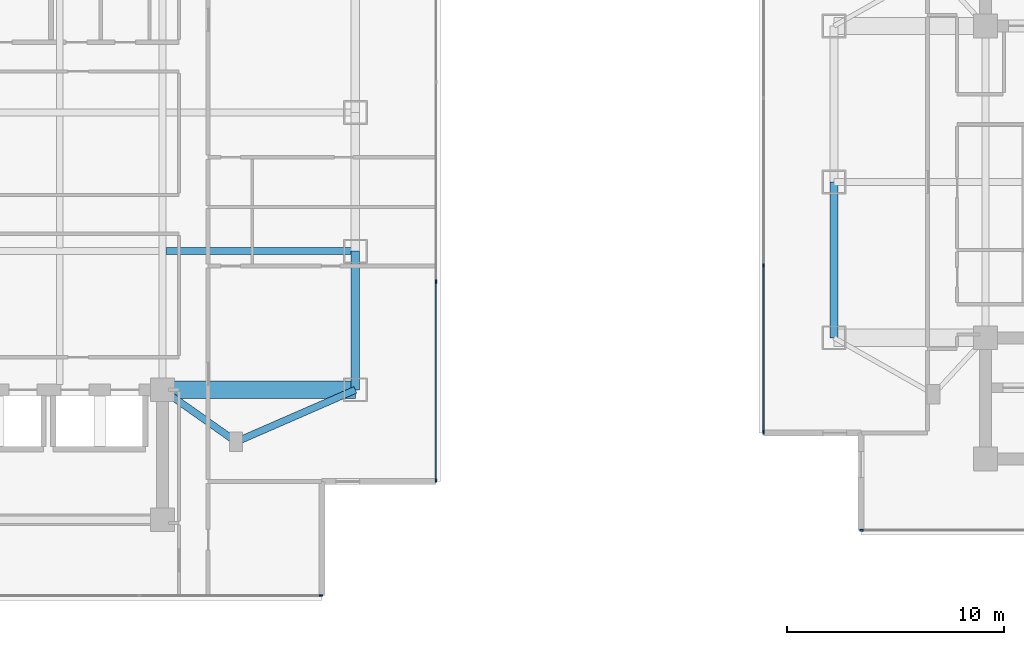
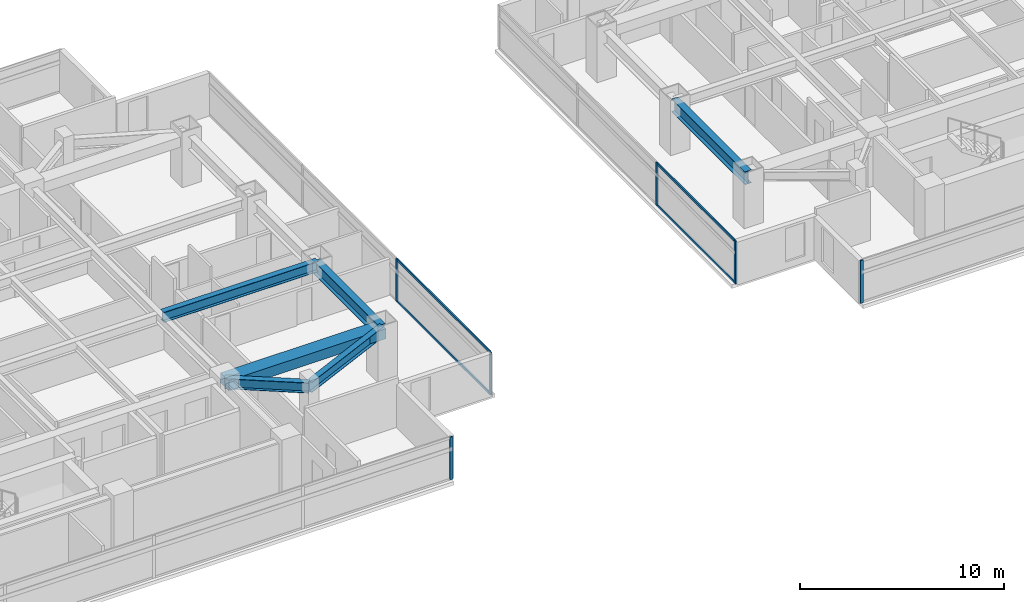
# One storey, part 5 of 24: 10 members, 6 beams, 4 elements without a shape of their own.
"""IFC4 building model written with IfcOpenShell, lengths in metres."""

from ifc_helpers import new_model, si_unit, direction, frame, origin, origin_2d, place, context, subcontext, project, spatial, rectangle, i_section, extrude, material, material_profile, profile_set, type_object, element, aggregate, save


model = new_model("IFC4")

# Units and contexts
model_context = context("Model", 3, precision=1e-05, world=origin(), true_north=direction((0.0, 1.0)))
body_context = subcontext(model_context, "Body", "Model", "MODEL_VIEW")
ifc_project = project(units=[si_unit("LENGTHUNIT", "METRE"), si_unit("AREAUNIT", "SQUARE_METRE"), si_unit("VOLUMEUNIT", "CUBIC_METRE"), si_unit("PLANEANGLEUNIT", "RADIAN"), si_unit("MASSUNIT", "GRAM", prefix="KILO")], contexts=[model_context])

# Site, building, storey
site_placement = place(None, origin())
site = spatial("IfcSite", under=ifc_project, at=site_placement, CompositionType="ELEMENT")
building_placement = place(site_placement, origin())
building = spatial("IfcBuilding", under=site, at=building_placement, Name="Mirazonda Arch Towers", CompositionType="ELEMENT")
storey_placement = place(building_placement, frame((0.0, 0.0, 144.5)))
storey = spatial("IfcBuildingStorey", under=building, at=storey_placement, Name="L41", CompositionType="ELEMENT", Elevation=144.5)

# Beams
ifc_material_1 = material(Name="Steel ASTM A992 Grade 50", Category="steel")
ifc_material_profile_1 = material_profile(ifc_material_1, i_section(OverallWidth=0.381103515625, OverallDepth=0.77294921875, WebThickness=0.0166015625, FlangeThickness=0.027099609375, at=origin_2d()), Name="W30X173")
ifc_profile_set_1 = profile_set([ifc_material_profile_1], Name="Steel ASTM A992 Grade 50")
beam_type_1 = type_object("IfcBeamType", Name="BM-EXT-W30X173", PredefinedType="USERDEFINED", material=ifc_profile_set_1)
beam_1_placement = place(storey_placement, frame((38.89990234375, 18.39990234375, 2.553466796875), z_axis=(0.0, 1.0, 0.0), x_axis=(-1.0, 0.0, 0.0)))
element("IfcBeam", 1, at=beam_1_placement, inside=storey, type_object=beam_type_1, Name="L41 Floor Beam BMT-T1-L41-NS-E-18", ObjectType="GIRDER", PredefinedType="USERDEFINED", context=body_context, shape_type="SweptSolid", body=[
    extrude(i_section(OverallWidth=0.381103515625, OverallDepth=0.77294921875, WebThickness=0.0166015625, FlangeThickness=0.027099609375, at=origin_2d()), origin(), (0.0, 0.0, 1.0), 6.400146484375),
])
beam_2_placement = place(storey_placement, frame((61.0, 20.800048828125, 2.553466796875), z_axis=(0.0, 1.0, 0.0), x_axis=(-1.0, 0.0, 0.0)))
element("IfcBeam", 2, at=beam_2_placement, inside=storey, type_object=beam_type_1, Name="L41 Floor Beam BMT-T2-L41-NS-W-20", ObjectType="GIRDER", PredefinedType="USERDEFINED", context=body_context, shape_type="SweptSolid", body=[
    extrude(i_section(OverallWidth=0.381103515625, OverallDepth=0.77294921875, WebThickness=0.0166015625, FlangeThickness=0.027099609375, at=origin_2d()), origin(), (0.0, 0.0, 1.0), 7.199951171875),
])
ifc_material_profile_2 = material_profile(ifc_material_1, i_section(OverallWidth=0.324951171875, OverallDepth=0.615966796875, WebThickness=0.013916015625, FlangeThickness=0.021484375, at=origin_2d()), Name="W24X117")
ifc_profile_set_2 = profile_set([ifc_material_profile_2], Name="Steel ASTM A992 Grade 50")
beam_type_2 = type_object("IfcBeamType", Name="BM-INT-W24X117", PredefinedType="BEAM", material=ifc_profile_set_2)
beam_3_placement = place(storey_placement, frame((30.16259765625, 24.800048828125, 2.632080078125), z_axis=(1.0, 0.0, 0.0), x_axis=(0.0, 1.0, 0.0)))
element("IfcBeam", 3, at=beam_3_placement, inside=storey, type_object=beam_type_2, Name="L41 Floor Beam BMT-T1-L41-GE2", PredefinedType="BEAM", context=body_context, shape_type="SweptSolid", body=[
    extrude(i_section(OverallWidth=0.324951171875, OverallDepth=0.615966796875, WebThickness=0.013916015625, FlangeThickness=0.021484375, at=origin_2d()), origin(), (0.0, 0.0, 1.0), 8.7373046875),
])
beam_4_placement = place(storey_placement, frame((33.39990234375, 16.0, 2.632080078125), z_axis=(-0.816971114901, 0.576678591087, 0.0), x_axis=(-0.576678591087, -0.816971114901, 0.0)))
element("IfcBeam", 4, at=beam_4_placement, inside=storey, type_object=beam_type_2, Name="L41 Floor Beam BMT-T1-L41-PL-SE1", PredefinedType="BEAM", context=body_context, shape_type="SweptSolid", body=[
    extrude(i_section(OverallWidth=0.324951171875, OverallDepth=0.615966796875, WebThickness=0.013916015625, FlangeThickness=0.021484375, at=origin_2d()), origin(), (0.0, 0.0, 1.0), 4.16162109375),
])
beam_5_placement = place(storey_placement, frame((33.39990234375, 16.0, 2.632080078125), z_axis=(0.916545343703, 0.399930785183, 0.0), x_axis=(-0.399930785183, 0.916545343703, 0.0)))
element("IfcBeam", 5, at=beam_5_placement, inside=storey, type_object=beam_type_2, Name="L41 Floor Beam BMT-T1-L41-PL-SE2", PredefinedType="BEAM", context=body_context, shape_type="SweptSolid", body=[
    extrude(i_section(OverallWidth=0.324951171875, OverallDepth=0.615966796875, WebThickness=0.013916015625, FlangeThickness=0.021484375, at=origin_2d()), origin(), (0.0, 0.0, 1.0), 6.000732421875),
])
ifc_material_2 = material(Name="Concrete C60/75", Category="concrete")
ifc_material_profile_3 = material_profile(ifc_material_2, rectangle(XDim=0.800048828125, YDim=0.60009765625, at=origin_2d()), Name="RCCB800x600")
ifc_profile_set_3 = profile_set([ifc_material_profile_3], Name="Concrete C60/75")
beam_type_3 = type_object("IfcBeamType", Name="CB-INT-RCCB800x600", PredefinedType="SPANDREL", material=ifc_profile_set_3)
beam_6_placement = place(storey_placement, frame((30.0, 18.39990234375, 2.639892578125), z_axis=(1.0, 0.0, 0.0), x_axis=(0.0, 1.0, 0.0)))
element("IfcBeam", 6, at=beam_6_placement, inside=storey, type_object=beam_type_3, Name="L41 Floor Beam CBC-T1-L41-SE", PredefinedType="SPANDREL", context=body_context, shape_type="SweptSolid", body=[
    extrude(rectangle(XDim=0.800048828125, YDim=0.60009765625, at=origin_2d()), origin(), (0.0, 0.0, 1.0), 8.89990234375),
])

# Curtain wall, member
ifc_material_3 = material(Name="Anodised Aluminium and Low-E Glass", Category="aluminium")
curtain_wall_type = type_object("IfcCurtainWallType", Name="CW-HTL-UNIT", PredefinedType="NOTDEFINED", material=ifc_material_3)
curtain_wall_1_placement = place(storey_placement, origin())
curtain_wall_1 = element("IfcCurtainWall", 7, at=curtain_wall_1_placement, inside=storey, type_object=curtain_wall_type, Name="L41 T1 S Facade CW-L41-T1-S", PredefinedType="NOTDEFINED")
ifc_material_4 = material(Name="Anodised Aluminium Alloy", Category="aluminium")
ifc_material_profile_4 = material_profile(ifc_material_4, rectangle(XDim=0.074951171875, YDim=0.1650390625, at=origin_2d()), Name="ALU-MULL-75x165")
ifc_profile_set_4 = profile_set([ifc_material_profile_4], Name="Anodised Aluminium Alloy")
member_type_1 = type_object("IfcMemberType", Name="MULL-CW-HTL-UNIT", PredefinedType="MULLION", material=ifc_profile_set_4)
member_1_placement = place(storey_placement, frame((37.3125, 8.89599609375, 0.0), z_axis=(0.0, 0.0, 1.0), x_axis=(0.0, -1.0, 0.0)))
member_1 = element("IfcMember", 8, at=member_1_placement, type_object=member_type_1, Name="CW-112 mullion 1", PredefinedType="MULLION", context=body_context, shape_type="SweptSolid", body=[
    extrude(rectangle(XDim=0.074951171875, YDim=0.1650390625, at=origin_2d()), origin(), (0.0, 0.0, 1.0), 2.56005859375),
])
aggregate(curtain_wall_1, [member_1])

# Curtain wall, members
curtain_wall_2_placement = place(storey_placement, origin())
curtain_wall_2 = element("IfcCurtainWall", 9, at=curtain_wall_2_placement, inside=storey, type_object=curtain_wall_type, Name="L41 T1 E Facade CW-L41-T1-E", PredefinedType="NOTDEFINED")
member_2_placement = place(storey_placement, frame((42.6201171875, 14.20361328125, 0.0), z_axis=(0.0, 0.0, 1.0), x_axis=(-1.0, 0.0, 0.0)))
member_2 = element("IfcMember", 10, at=member_2_placement, type_object=member_type_1, Name="CW-112 mullion 1", PredefinedType="MULLION", context=body_context, shape_type="SweptSolid", body=[
    extrude(rectangle(XDim=0.074951171875, YDim=0.1650390625, at=origin_2d()), origin(), (0.0, 0.0, 1.0), 2.56005859375),
])
member_3_placement = place(storey_placement, frame((42.6201171875, 23.388671875, 0.0), z_axis=(0.0, 0.0, 1.0), x_axis=(-1.0, 0.0, 0.0)))
member_3 = element("IfcMember", 11, at=member_3_placement, type_object=member_type_1, Name="CW-112 mullion 2", PredefinedType="MULLION", context=body_context, shape_type="SweptSolid", body=[
    extrude(rectangle(XDim=0.074951171875, YDim=0.1650390625, at=origin_2d()), origin(), (0.0, 0.0, 1.0), 2.56005859375),
])

# Curtain wall, member
curtain_wall_3_placement = place(storey_placement, origin())
curtain_wall_3 = element("IfcCurtainWall", 12, at=curtain_wall_3_placement, inside=storey, type_object=curtain_wall_type, Name="L41 T2 S Facade CW-L41-T2-S", PredefinedType="NOTDEFINED")
member_4_placement = place(storey_placement, frame((62.27490234375, 11.91455078125, 0.0), z_axis=(0.0, 0.0, 1.0), x_axis=(0.0, -1.0, 0.0)))
member_4 = element("IfcMember", 13, at=member_4_placement, type_object=member_type_1, Name="CW-112 mullion 4", PredefinedType="MULLION", context=body_context, shape_type="SweptSolid", body=[
    extrude(rectangle(XDim=0.074951171875, YDim=0.1650390625, at=origin_2d()), origin(), (0.0, 0.0, 1.0), 2.56005859375),
])
aggregate(curtain_wall_3, [member_4])

# Curtain wall, members
curtain_wall_4_placement = place(storey_placement, origin())
curtain_wall_4 = element("IfcCurtainWall", 14, at=curtain_wall_4_placement, inside=storey, type_object=curtain_wall_type, Name="L41 T2 W Facade CW-L41-T2-W", PredefinedType="NOTDEFINED")
member_5_placement = place(storey_placement, frame((57.7509765625, 24.1337890625, 0.0), z_axis=(0.0, 0.0, 1.0), x_axis=(1.0, 0.0, 0.0)))
member_5 = element("IfcMember", 15, at=member_5_placement, type_object=member_type_1, Name="CW-112 mullion 3", PredefinedType="MULLION", context=body_context, shape_type="SweptSolid", body=[
    extrude(rectangle(XDim=0.074951171875, YDim=0.1650390625, at=origin_2d()), origin(), (0.0, 0.0, 1.0), 2.56005859375),
])
member_6_placement = place(storey_placement, frame((57.7509765625, 16.438720703125, 0.0), z_axis=(0.0, 0.0, 1.0), x_axis=(1.0, 0.0, 0.0)))
member_6 = element("IfcMember", 16, at=member_6_placement, type_object=member_type_1, Name="CW-112 mullion 4", PredefinedType="MULLION", context=body_context, shape_type="SweptSolid", body=[
    extrude(rectangle(XDim=0.074951171875, YDim=0.1650390625, at=origin_2d()), origin(), (0.0, 0.0, 1.0), 2.56005859375),
])

# Member
ifc_material_profile_5 = material_profile(ifc_material_4, rectangle(XDim=0.074951171875, YDim=0.14501953125, at=origin_2d()), Name="ALU-TRAN-75x145")
ifc_profile_set_5 = profile_set([ifc_material_profile_5], Name="Anodised Aluminium Alloy")
member_type_2 = type_object("IfcMemberType", Name="TRAN-CW-HTL-UNIT", PredefinedType="USERDEFINED", material=ifc_profile_set_5)
member_7_placement = place(storey_placement, frame((42.6201171875, 14.240966796875, 0.03759765625), z_axis=(0.0, 1.0, 0.0), x_axis=(-1.0, 0.0, 0.0)))
member_7 = element("IfcMember", 17, at=member_7_placement, type_object=member_type_2, Name="CW-112 transom 1.1", ObjectType="TRANSOM", PredefinedType="USERDEFINED", context=body_context, shape_type="SweptSolid", body=[
    extrude(rectangle(XDim=0.074951171875, YDim=0.14501953125, at=origin_2d()), origin(), (0.0, 0.0, 1.0), 9.110107421875),
])

member_8_placement = place(storey_placement, frame((42.6201171875, 14.240966796875, 2.5224609375), z_axis=(0.0, 1.0, 0.0), x_axis=(-1.0, 0.0, 0.0)))
member_8 = element("IfcMember", 18, at=member_8_placement, type_object=member_type_2, Name="CW-112 transom 1.2", ObjectType="TRANSOM", PredefinedType="USERDEFINED", context=body_context, shape_type="SweptSolid", body=[
    extrude(rectangle(XDim=0.074951171875, YDim=0.14501953125, at=origin_2d()), origin(), (0.0, 0.0, 1.0), 9.110107421875),
])

aggregate(curtain_wall_2, [member_2, member_3, member_7, member_8])

member_9_placement = place(storey_placement, frame((57.7509765625, 24.09619140625, 0.03759765625), z_axis=(0.0, -1.0, 0.0), x_axis=(1.0, 0.0, 0.0)))
member_9 = element("IfcMember", 19, at=member_9_placement, type_object=member_type_2, Name="CW-112 transom 3.1", ObjectType="TRANSOM", PredefinedType="USERDEFINED", context=body_context, shape_type="SweptSolid", body=[
    extrude(rectangle(XDim=0.074951171875, YDim=0.14501953125, at=origin_2d()), origin(), (0.0, 0.0, 1.0), 7.6201171875),
])

member_10_placement = place(storey_placement, frame((57.7509765625, 24.09619140625, 2.5224609375), z_axis=(0.0, -1.0, 0.0), x_axis=(1.0, 0.0, 0.0)))
member_10 = element("IfcMember", 20, at=member_10_placement, type_object=member_type_2, Name="CW-112 transom 3.2", ObjectType="TRANSOM", PredefinedType="USERDEFINED", context=body_context, shape_type="SweptSolid", body=[
    extrude(rectangle(XDim=0.074951171875, YDim=0.14501953125, at=origin_2d()), origin(), (0.0, 0.0, 1.0), 7.6201171875),
])

aggregate(curtain_wall_4, [member_5, member_6, member_9, member_10])

save(model, "model.ifc")
